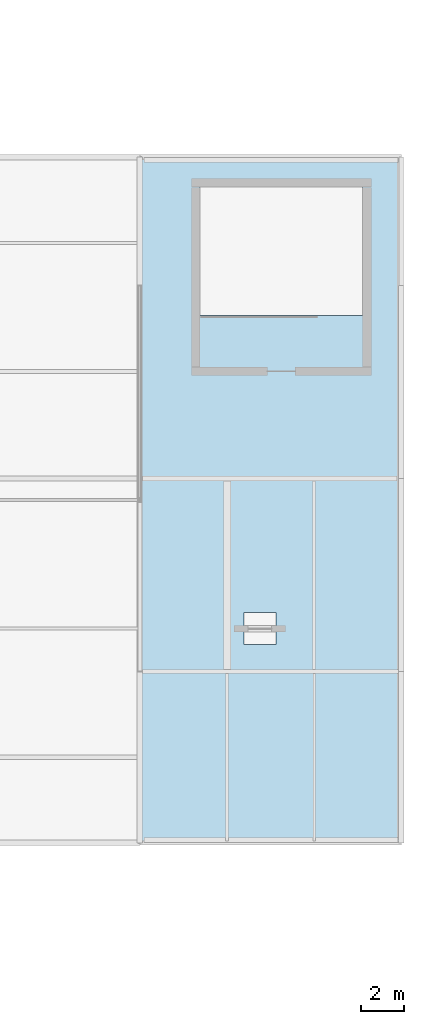
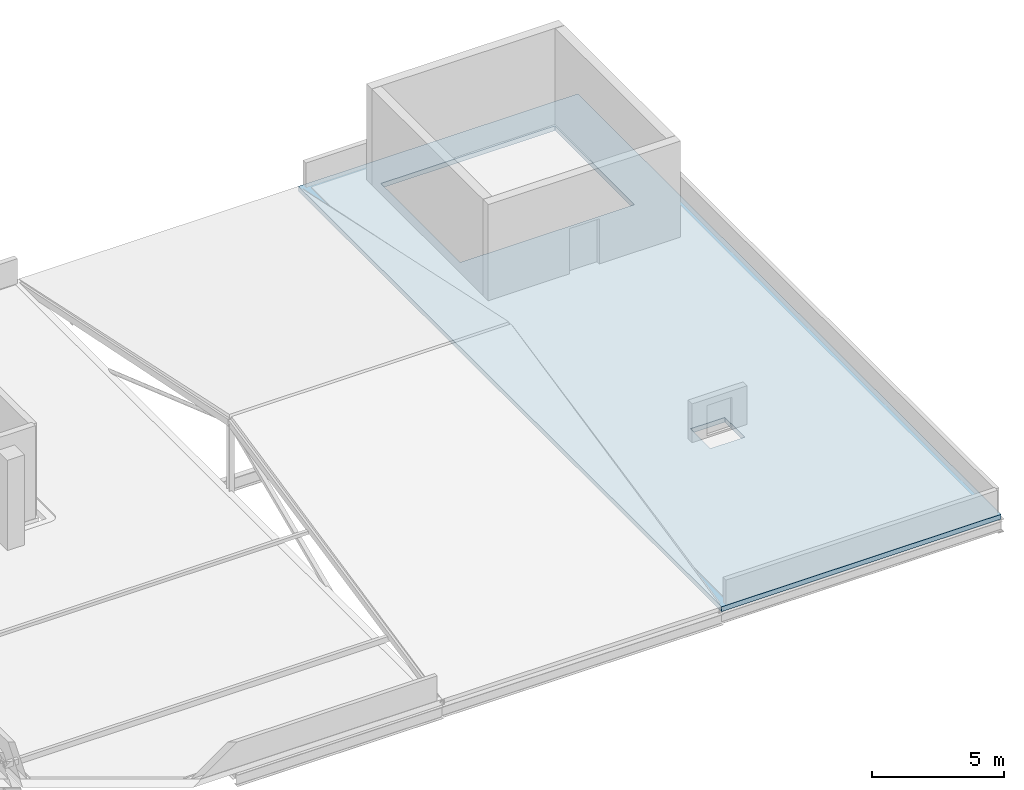
# One storey, part 61 of 85: 1 slab.
"""IFC4 building model written with IfcOpenShell, lengths in metres."""

from ifc_helpers import new_model, si_unit, derived_unit, direction, frame, origin, place, context, subcontext, project, spatial, polyline, outline, extrude, material, layer, layer_set, type_object, element, save


model = new_model("IFC4")

# Units and contexts
model_context = context("Model", 3, precision=1e-05, world=origin(), true_north=direction((0.0, 1.0)))
body_context = subcontext(model_context, "Body", "Model", "MODEL_VIEW")
ifc_project = project(units=[si_unit("LENGTHUNIT", "METRE"), si_unit("AREAUNIT", "SQUARE_METRE"), si_unit("VOLUMEUNIT", "CUBIC_METRE"), si_unit("PLANEANGLEUNIT", "RADIAN"), si_unit("MASSUNIT", "GRAM", prefix="KILO"), derived_unit("THERMALTRANSMITTANCEUNIT", [(si_unit("POWERUNIT", "WATT"), 1), (si_unit("LENGTHUNIT", "METRE"), -2), (si_unit("THERMODYNAMICTEMPERATUREUNIT", "KELVIN"), -1)])], contexts=[model_context])

# Site, building, storey
site_placement = place(None, origin())
site = spatial("IfcSite", under=ifc_project, at=site_placement, CompositionType="ELEMENT")
building_placement = place(site_placement, origin())
building = spatial("IfcBuilding", under=site, at=building_placement, Name="Nallur Shell Playhouse", CompositionType="ELEMENT")
storey_placement = place(building_placement, frame((0.0, 0.0, 19.800048828125)))
storey = spatial("IfcBuildingStorey", under=building, at=storey_placement, Name="L05", CompositionType="ELEMENT", Elevation=19.800048828125)

# Slab
ifc_material = material(Name="Concrete M35", Category="concrete")
ifc_layer = layer(ifc_material, 0.219970703125)
ifc_layer_set = layer_set([ifc_layer], Name="Concrete M35")
slab_type = type_object("IfcSlabType", Name="SL-FLATROOF-220", PredefinedType="ROOF", material=ifc_layer_set)
slab_placement = place(storey_placement, frame((0.0, 0.0, -0.219970703125)))
element("IfcSlab", 1, at=slab_placement, inside=storey, type_object=slab_type, Name="L05 East Studio Core & Seminar roof slab", PredefinedType="ROOF", context=body_context, shape_type="SweptSolid", body=[
    extrude(outline(polyline([(147.60009765625, 24.0), (147.60009765625, 56.0), (159.800048828125, 56.0), (159.800048828125, 24.0), (147.60009765625, 24.0)]), holes=[polyline([(152.449951171875, 34.75), (152.449951171875, 33.25), (153.949951171875, 33.25), (153.949951171875, 34.75), (152.449951171875, 34.75)]), polyline([(158.0, 54.60009765625), (150.39990234375, 54.60009765625), (150.39990234375, 48.60009765625), (158.0, 48.60009765625), (158.0, 54.60009765625)])]), origin(), (0.0, 0.0, 1.0), 0.219970703125),
])

save(model, "model.ifc")
